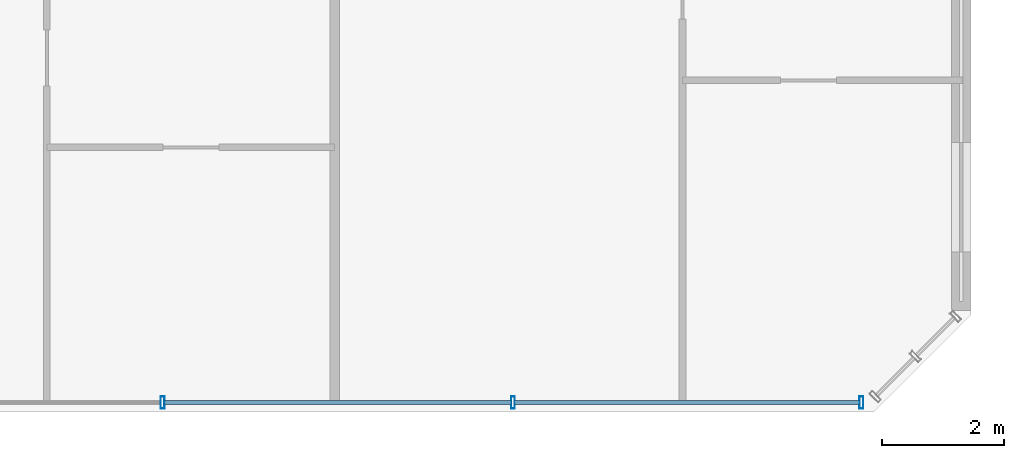
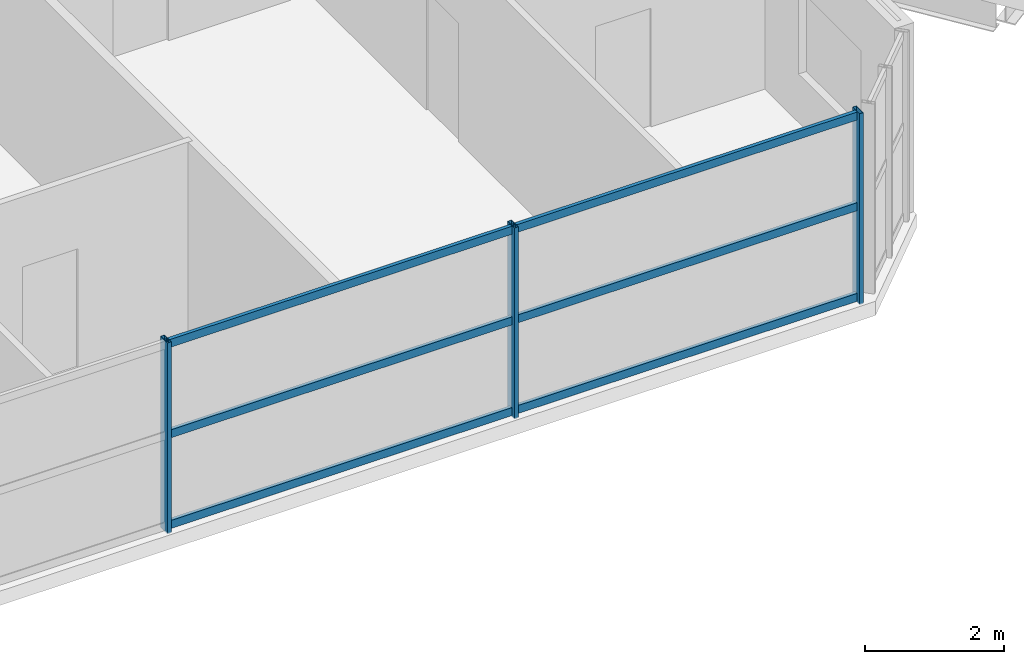
# One storey, part 8 of 29: 9 members, 1 element without a shape of its own.
"""IFC4 building model written with IfcOpenShell, lengths in metres."""

from ifc_helpers import new_model, si_unit, direction, frame, origin, origin_2d, place, context, subcontext, project, spatial, hollow_rectangle, extrude, source, transform, mapped, material, material_profile, profile_set, type_object, element, aggregate, save


model = new_model("IFC4")

# Units and contexts
model_context = context("Model", 3, precision=1e-05, world=origin(), true_north=direction((0.0, 1.0)))
body_context = subcontext(model_context, "Body", "Model", "MODEL_VIEW")
ifc_project = project(units=[si_unit("LENGTHUNIT", "METRE"), si_unit("AREAUNIT", "SQUARE_METRE"), si_unit("VOLUMEUNIT", "CUBIC_METRE"), si_unit("PLANEANGLEUNIT", "RADIAN"), si_unit("MASSUNIT", "GRAM", prefix="KILO")], contexts=[model_context])

# Site, building, storey
site_placement = place(None, origin())
site = spatial("IfcSite", under=ifc_project, at=site_placement, CompositionType="ELEMENT")
building_placement = place(site_placement, origin())
building = spatial("IfcBuilding", under=site, at=building_placement, Name="Tlacorven Tower", CompositionType="ELEMENT")
storey_placement = place(building_placement, frame((0.0, 0.0, 165.89990234375)))
storey = spatial("IfcBuildingStorey", under=building, at=storey_placement, Name="L42", CompositionType="ELEMENT", Elevation=165.89990234375)

# Curtain wall, members
ifc_material_1 = material(Name="Dark solar low-E double glazing in aluminium frame", Category="aluminium")
curtain_wall_type = type_object("IfcCurtainWallType", Name="CW-TWR-MID", PredefinedType="USERDEFINED", material=ifc_material_1)
curtain_wall_placement = place(storey_placement, origin())
curtain_wall = element("IfcCurtainWall", 1, at=curtain_wall_placement, inside=storey, type_object=curtain_wall_type, Name="L42 CW-TWR-MID Curtain Wall 191", ObjectType="UNITISED CURTAIN WALL", PredefinedType="USERDEFINED")
ifc_material_2 = material(Name="Aluminium 6063-T6 anodised", Category="aluminium")
ifc_material_profile_1 = material_profile(ifc_material_2, hollow_rectangle(XDim=0.06005859375, YDim=0.139892578125, WallThickness=0.00390625, at=origin_2d()), Name="ALU TRANSOM 60X140")
ifc_profile_set_1 = profile_set([ifc_material_profile_1], Name="Aluminium 6063-T6 anodised")
member_type_1 = type_object("IfcMemberType", Name="CWT-02", PredefinedType="USERDEFINED", material=ifc_profile_set_1)
shared_shape_1 = source(origin(), body_context, "Body", "SweptSolid", [
    extrude(hollow_rectangle(XDim=0.06005859375, YDim=0.139892578125, WallThickness=0.00390625, at=origin_2d()), origin(), (0.0, 0.0, 1.0), 5.682373046875),
])
member_1_placement = place(storey_placement, frame((50.580810546875, 1.9599609375, 0.070068359375), z_axis=(-1.0, 0.0, 0.0), x_axis=(0.0, -1.0, 0.0)))
member_1 = element("IfcMember", 2, at=member_1_placement, type_object=member_type_1, Name="CW-L42-191 Transom 1", ObjectType="TRANSOM", PredefinedType="USERDEFINED", context=body_context, shape_type="MappedRepresentation", body=[
    mapped(shared_shape_1, transform((0.0, 0.0, 0.0), scale=1.0)),
])
member_2_placement = place(storey_placement, frame((50.580810546875, 1.9599609375, 1.66015625), z_axis=(-1.0, 0.0, 0.0), x_axis=(0.0, -1.0, 0.0)))
member_2 = element("IfcMember", 3, at=member_2_placement, type_object=member_type_1, Name="CW-L42-191 Transom 2", ObjectType="TRANSOM", PredefinedType="USERDEFINED", context=body_context, shape_type="MappedRepresentation", body=[
    mapped(shared_shape_1, transform((0.0, 0.0, 0.0), scale=1.0)),
])
member_3_placement = place(storey_placement, frame((50.580810546875, 1.9599609375, 3.25), z_axis=(-1.0, 0.0, 0.0), x_axis=(0.0, -1.0, 0.0)))
member_3 = element("IfcMember", 4, at=member_3_placement, type_object=member_type_1, Name="CW-L42-191 Transom 3", ObjectType="TRANSOM", PredefinedType="USERDEFINED", context=body_context, shape_type="MappedRepresentation", body=[
    mapped(shared_shape_1, transform((0.0, 0.0, 0.0), scale=1.0)),
])
shared_shape_2 = source(origin(), body_context, "Body", "SweptSolid", [
    extrude(hollow_rectangle(XDim=0.06005859375, YDim=0.139892578125, WallThickness=0.00390625, at=origin_2d()), origin(), (0.0, 0.0, 1.0), 5.71484375),
])
member_4_placement = place(storey_placement, frame((44.857421875, 1.9599609375, 0.070068359375), z_axis=(-1.0, 0.0, 0.0), x_axis=(0.0, -1.0, 0.0)))
member_4 = element("IfcMember", 5, at=member_4_placement, type_object=member_type_1, Name="CW-L42-191 Transom 4", ObjectType="TRANSOM", PredefinedType="USERDEFINED", context=body_context, shape_type="MappedRepresentation", body=[
    mapped(shared_shape_2, transform((0.0, 0.0, 0.0), scale=1.0)),
])
member_5_placement = place(storey_placement, frame((44.857421875, 1.9599609375, 1.66015625), z_axis=(-1.0, 0.0, 0.0), x_axis=(0.0, -1.0, 0.0)))
member_5 = element("IfcMember", 6, at=member_5_placement, type_object=member_type_1, Name="CW-L42-191 Transom 5", ObjectType="TRANSOM", PredefinedType="USERDEFINED", context=body_context, shape_type="MappedRepresentation", body=[
    mapped(shared_shape_2, transform((0.0, 0.0, 0.0), scale=1.0)),
])
member_6_placement = place(storey_placement, frame((44.857421875, 1.9599609375, 3.25), z_axis=(-1.0, 0.0, 0.0), x_axis=(0.0, -1.0, 0.0)))
member_6 = element("IfcMember", 7, at=member_6_placement, type_object=member_type_1, Name="CW-L42-191 Transom 6", ObjectType="TRANSOM", PredefinedType="USERDEFINED", context=body_context, shape_type="MappedRepresentation", body=[
    mapped(shared_shape_2, transform((0.0, 0.0, 0.0), scale=1.0)),
])
ifc_material_profile_2 = material_profile(ifc_material_2, hollow_rectangle(XDim=0.06494140625, YDim=0.199951171875, WallThickness=0.00439453125, at=origin_2d()), Name="ALU MULLION 65X200")
ifc_profile_set_2 = profile_set([ifc_material_profile_2], Name="Aluminium 6063-T6 anodised")
member_type_2 = type_object("IfcMemberType", Name="CWM-02", PredefinedType="MULLION", material=ifc_profile_set_2)
shared_shape_3 = source(origin(), body_context, "Body", "SweptSolid", [
    extrude(hollow_rectangle(XDim=0.06494140625, YDim=0.199951171875, WallThickness=0.00439453125, at=origin_2d()), origin(), (0.0, 0.0, 1.0), 3.35009765625),
])
member_7_placement = place(storey_placement, frame((50.601318359375, 1.9599609375, -0.02001953125), z_axis=(0.0, 0.0, 1.0), x_axis=(-1.0, 0.0, 0.0)))
member_7 = element("IfcMember", 8, at=member_7_placement, type_object=member_type_2, Name="CW-L42-191 Mullion 1", PredefinedType="MULLION", context=body_context, shape_type="MappedRepresentation", body=[
    mapped(shared_shape_3, transform((0.0, 0.0, 0.0), scale=1.0)),
])
member_8_placement = place(storey_placement, frame((44.8779296875, 1.9599609375, -0.02001953125), z_axis=(0.0, 0.0, 1.0), x_axis=(-1.0, 0.0, 0.0)))
member_8 = element("IfcMember", 9, at=member_8_placement, type_object=member_type_2, Name="CW-L42-191 Mullion 2", PredefinedType="MULLION", context=body_context, shape_type="MappedRepresentation", body=[
    mapped(shared_shape_3, transform((0.0, 0.0, 0.0), scale=1.0)),
])
member_9_placement = place(storey_placement, frame((39.1220703125, 1.9599609375, -0.02001953125), z_axis=(0.0, 0.0, 1.0), x_axis=(-1.0, 0.0, 0.0)))
member_9 = element("IfcMember", 10, at=member_9_placement, type_object=member_type_2, Name="CW-L42-191 Mullion 3", PredefinedType="MULLION", context=body_context, shape_type="MappedRepresentation", body=[
    mapped(shared_shape_3, transform((0.0, 0.0, 0.0), scale=1.0)),
])
aggregate(curtain_wall, [member_7, member_8, member_9, member_1, member_2, member_3, member_4, member_5, member_6])

save(model, "model.ifc")
